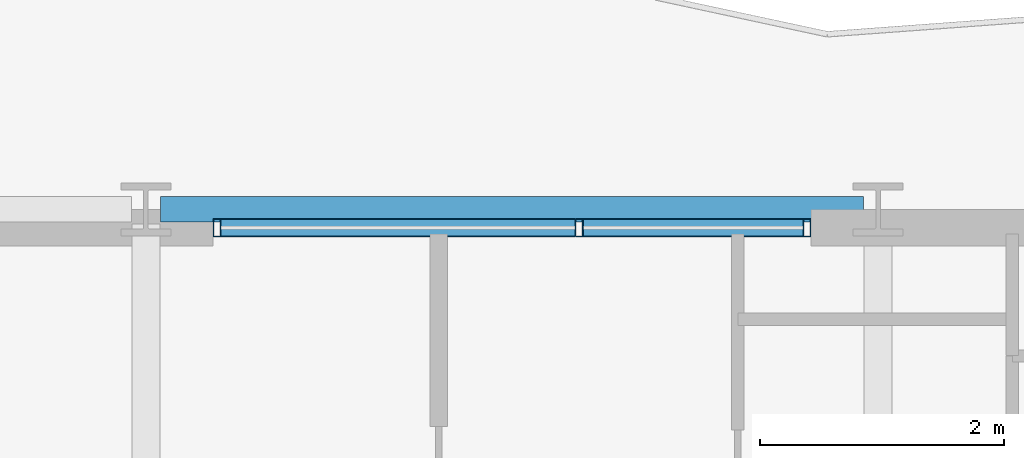
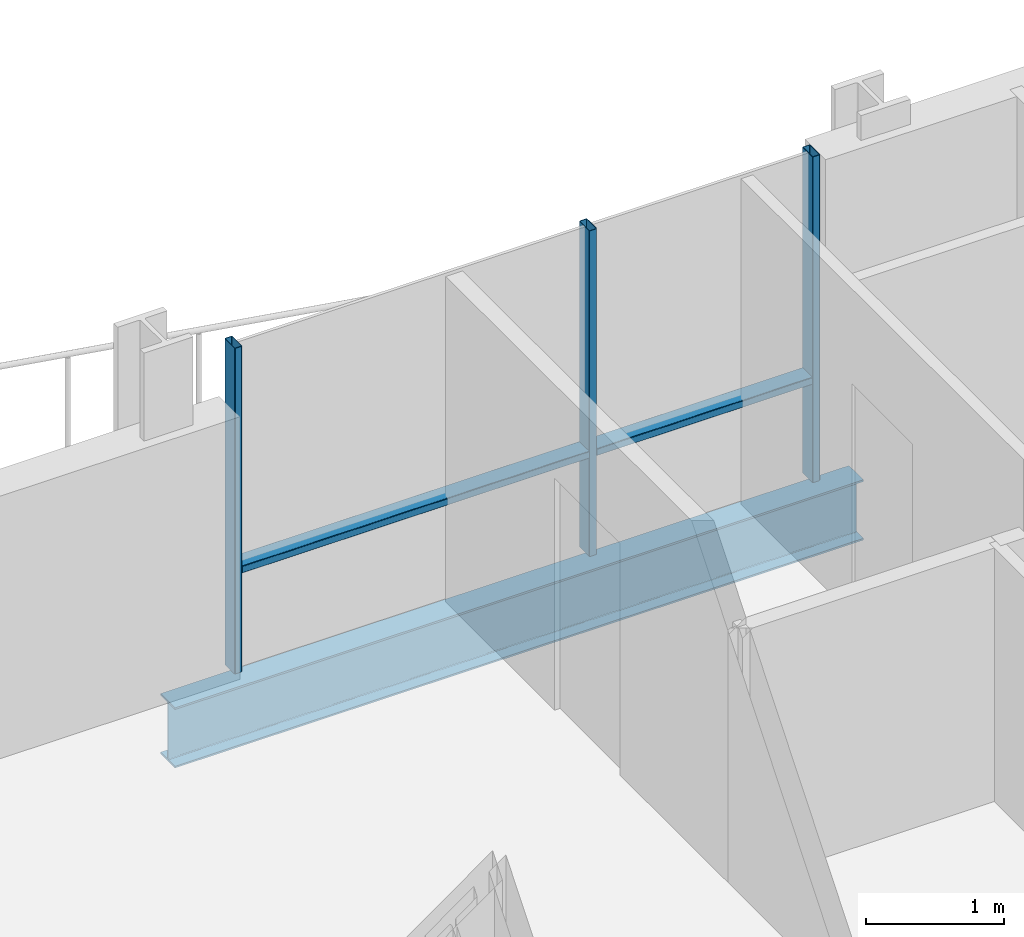
# One storey, part 24 of 41: 5 members, 1 beam, 1 element without a shape of its own.
"""IFC4 building model written with IfcOpenShell, lengths in metres."""

from ifc_helpers import new_model, si_unit, direction, frame, origin, origin_2d, place, context, subcontext, project, spatial, hollow_rectangle, i_section, extrude, material, layer, layer_set, material_profile, profile_set, type_object, element, aggregate, save


model = new_model("IFC4")

# Units and contexts
model_context = context("Model", 3, precision=1e-05, world=origin(), true_north=direction((0.0, 1.0)))
body_context = subcontext(model_context, "Body", "Model", "MODEL_VIEW")
ifc_project = project(units=[si_unit("LENGTHUNIT", "METRE"), si_unit("AREAUNIT", "SQUARE_METRE"), si_unit("VOLUMEUNIT", "CUBIC_METRE"), si_unit("PLANEANGLEUNIT", "RADIAN"), si_unit("MASSUNIT", "GRAM", prefix="KILO")], contexts=[model_context])

# Site, building, storey
site_placement = place(None, origin())
site = spatial("IfcSite", under=ifc_project, at=site_placement, CompositionType="ELEMENT")
building_placement = place(site_placement, origin())
building = spatial("IfcBuilding", under=site, at=building_placement, Name="Brevholm Reach", CompositionType="ELEMENT")
storey_placement = place(building_placement, frame((0.0, 0.0, 112.800048828125)))
storey = spatial("IfcBuildingStorey", under=building, at=storey_placement, Name="L33", CompositionType="ELEMENT", Elevation=112.800048828125)

# Beam
ifc_material_1 = material(Name="Structural Steel S355J2", Category="steel")
ifc_material_profile_1 = material_profile(ifc_material_1, i_section(OverallWidth=0.209228515625, OverallDepth=0.533203125, WebThickness=0.010009765625, FlangeThickness=0.015625, FilletRadius=0.0126953125, at=origin_2d()), Name="UKB 533x210x92")
ifc_profile_set_1 = profile_set([ifc_material_profile_1], Name="Structural Steel S355J2")
beam_type = type_object("IfcBeamType", Name="BM-SP533", PredefinedType="SPANDREL", material=ifc_profile_set_1)
beam_placement = place(storey_placement, frame((48.1201171875, 31.0, -0.486572265625), z_axis=(1.0, 0.0, 0.0), x_axis=(0.0, 1.0, 0.0)))
element("IfcBeam", 1, at=beam_placement, inside=storey, type_object=beam_type, Name="L33 SP-02 Framing Beam", PredefinedType="SPANDREL", context=body_context, shape_type="SweptSolid", body=[
    extrude(i_section(OverallWidth=0.209228515625, OverallDepth=0.533203125, WebThickness=0.010009765625, FlangeThickness=0.015625, FilletRadius=0.0126953125, at=origin_2d()), origin(), (0.0, 0.0, 1.0), 5.759765625),
])

# Curtain wall, members
ifc_material_2 = material(Name="Dark Anodised Aluminium 6063-T6 and Solar-Control Glass", Category="aluminium")
ifc_layer = layer(ifc_material_2, 0.14990234375)
ifc_layer_set = layer_set([ifc_layer], Name="Dark Anodised Aluminium 6063-T6 and Solar-Control Glass")
curtain_wall_type = type_object("IfcCurtainWallType", Name="CW-01", PredefinedType="NOTDEFINED", material=ifc_layer_set)
curtain_wall_placement = place(storey_placement, origin())
curtain_wall = element("IfcCurtainWall", 2, at=curtain_wall_placement, inside=storey, type_object=curtain_wall_type, Name="L33 Curtain Wall CW-01", PredefinedType="NOTDEFINED")
ifc_material_3 = material(Name="Dark Anodised Aluminium 6063-T6", Category="aluminium")
ifc_material_profile_2 = material_profile(ifc_material_3, hollow_rectangle(XDim=0.06494140625, YDim=0.14990234375, WallThickness=0.0048828125, InnerFilletRadius=0.0048828125, OuterFilletRadius=0.010009765625, at=origin_2d()), Name="RHS 150x65x5")
ifc_profile_set_2 = profile_set([ifc_material_profile_2], Name="Dark Anodised Aluminium 6063-T6")
member_type_1 = type_object("IfcMemberType", Name="CWM-150", PredefinedType="MULLION", material=ifc_profile_set_2)
member_1_placement = place(storey_placement, frame((48.58251953125, 30.85009765625, 0.0), z_axis=(0.0, 0.0, 1.0), x_axis=(1.0, 0.0, 0.0)))
member_1 = element("IfcMember", 3, at=member_1_placement, type_object=member_type_1, Name="CM-150 Mullion 1", PredefinedType="MULLION", context=body_context, shape_type="SweptSolid", body=[
    extrude(hollow_rectangle(XDim=0.06494140625, YDim=0.14990234375, WallThickness=0.0048828125, InnerFilletRadius=0.0048828125, OuterFilletRadius=0.010009765625, at=origin_2d()), origin(), (0.0, 0.0, 1.0), 2.8798828125),
])
member_2_placement = place(storey_placement, frame((51.550048828125, 30.85009765625, 0.0), z_axis=(0.0, 0.0, 1.0), x_axis=(1.0, 0.0, 0.0)))
member_2 = element("IfcMember", 4, at=member_2_placement, type_object=member_type_1, Name="CM-150 Mullion 2", PredefinedType="MULLION", context=body_context, shape_type="SweptSolid", body=[
    extrude(hollow_rectangle(XDim=0.06494140625, YDim=0.14990234375, WallThickness=0.0048828125, InnerFilletRadius=0.0048828125, OuterFilletRadius=0.010009765625, at=origin_2d()), origin(), (0.0, 0.0, 1.0), 2.8798828125),
])
member_3_placement = place(storey_placement, frame((53.41748046875, 30.85009765625, 0.0), z_axis=(0.0, 0.0, 1.0), x_axis=(1.0, 0.0, 0.0)))
member_3 = element("IfcMember", 5, at=member_3_placement, type_object=member_type_1, Name="CM-150 Mullion 3", PredefinedType="MULLION", context=body_context, shape_type="SweptSolid", body=[
    extrude(hollow_rectangle(XDim=0.06494140625, YDim=0.14990234375, WallThickness=0.0048828125, InnerFilletRadius=0.0048828125, OuterFilletRadius=0.010009765625, at=origin_2d()), origin(), (0.0, 0.0, 1.0), 2.8798828125),
])
ifc_material_4 = material(Name="Dark Anodised Aluminium 6063-T6", Category="aluminium")
ifc_material_profile_3 = material_profile(ifc_material_4, hollow_rectangle(XDim=0.06494140625, YDim=0.14990234375, WallThickness=0.0048828125, InnerFilletRadius=0.0048828125, OuterFilletRadius=0.010009765625, at=origin_2d()), Name="RHS 150x65x5")
ifc_profile_set_3 = profile_set([ifc_material_profile_3], Name="Dark Anodised Aluminium 6063-T6")
member_type_2 = type_object("IfcMemberType", Name="CWT-150", PredefinedType="NOTDEFINED", material=ifc_profile_set_3)
member_4_placement = place(storey_placement, frame((48.614990234375, 30.85009765625, 0.89990234375), z_axis=(1.0, 0.0, 0.0), x_axis=(0.0, 0.0, 1.0)))
member_4 = element("IfcMember", 6, at=member_4_placement, type_object=member_type_2, Name="CT-150 Transom 1.1", ObjectType="TRANSOM", PredefinedType="USERDEFINED", context=body_context, shape_type="SweptSolid", body=[
    extrude(hollow_rectangle(XDim=0.06494140625, YDim=0.14990234375, WallThickness=0.0048828125, InnerFilletRadius=0.0048828125, OuterFilletRadius=0.010009765625, at=origin_2d()), origin(), (0.0, 0.0, 1.0), 2.902587890625),
])
member_5_placement = place(storey_placement, frame((51.58251953125, 30.85009765625, 0.89990234375), z_axis=(1.0, 0.0, 0.0), x_axis=(0.0, 0.0, 1.0)))
member_5 = element("IfcMember", 7, at=member_5_placement, type_object=member_type_2, Name="CT-150 Transom 2.1", ObjectType="TRANSOM", PredefinedType="USERDEFINED", context=body_context, shape_type="SweptSolid", body=[
    extrude(hollow_rectangle(XDim=0.06494140625, YDim=0.14990234375, WallThickness=0.0048828125, InnerFilletRadius=0.0048828125, OuterFilletRadius=0.010009765625, at=origin_2d()), origin(), (0.0, 0.0, 1.0), 1.802490234375),
])
aggregate(curtain_wall, [member_1, member_2, member_3, member_4, member_5])

save(model, "model.ifc")
